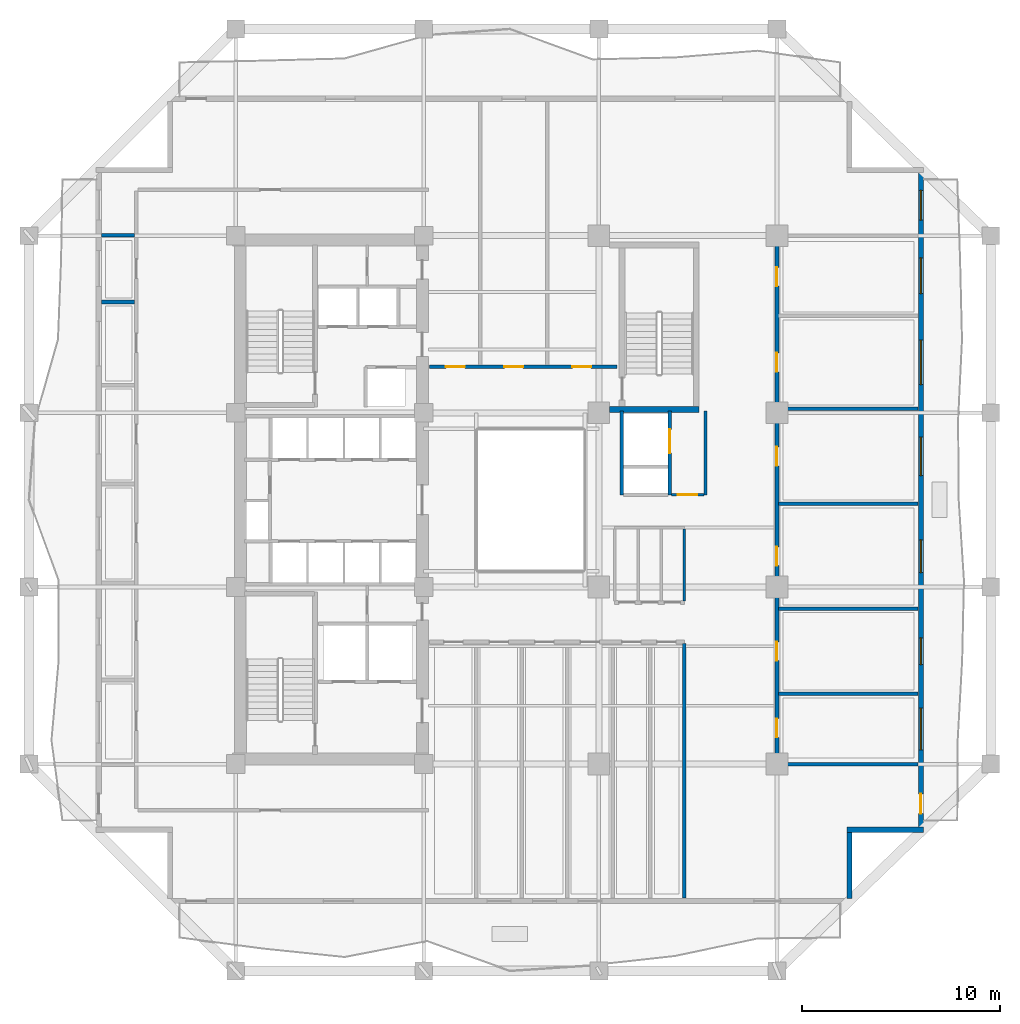
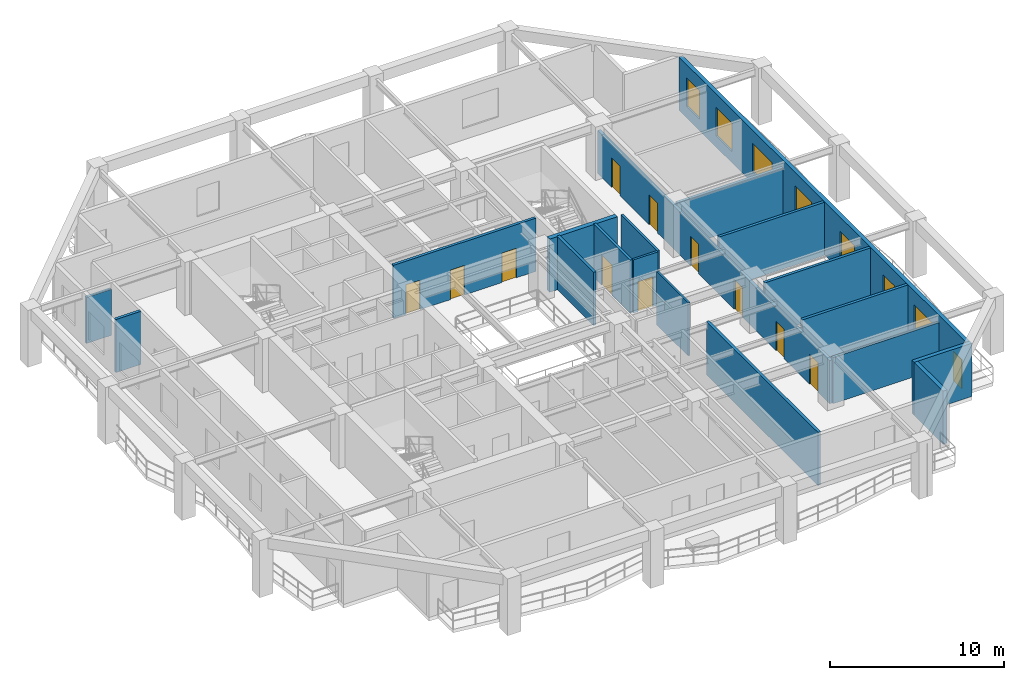
# One storey, part 5 of 11: 19 walls, 12 doors, 7 windows, 19 openings.
"""IFC4 building model written with IfcOpenShell, lengths in metres."""

from ifc_helpers import new_model, si_unit, direction, frame, frame_2d, origin, place, context, subcontext, project, spatial, rectangle, extrude, material, layer, layer_set, type_object, element, fill, save


model = new_model("IFC4")

# Units and contexts
model_context = context("Model", 3, precision=1e-05, world=origin(), true_north=direction((0.0, 1.0)))
body_context = subcontext(model_context, "Body", "Model", "MODEL_VIEW")
ifc_project = project(units=[si_unit("LENGTHUNIT", "METRE"), si_unit("AREAUNIT", "SQUARE_METRE"), si_unit("VOLUMEUNIT", "CUBIC_METRE"), si_unit("PLANEANGLEUNIT", "RADIAN"), si_unit("MASSUNIT", "GRAM", prefix="KILO")], contexts=[model_context])

# Site, building, storey
site_placement = place(None, origin())
site = spatial("IfcSite", under=ifc_project, at=site_placement, CompositionType="ELEMENT")
building_placement = place(site_placement, origin())
building = spatial("IfcBuilding", under=site, at=building_placement, Name="Kundavana Baori Tower", CompositionType="ELEMENT")
storey_placement = place(building_placement, frame((0.0, 0.0, 82.0)))
storey = spatial("IfcBuildingStorey", under=building, at=storey_placement, Name="L19", CompositionType="ELEMENT", Elevation=82.0)

# Walls
ifc_material_1 = material(Name="Kiln-Fired Terracotta Brick-Slip Masonry on Concrete C40/50", Category="masonry")
ifc_layer_1 = layer(ifc_material_1, 0.260009765625, Name="WL-EXT-BRK-260")
ifc_layer_set_1 = layer_set([ifc_layer_1], Name="Kiln-Fired Terracotta Brick-Slip Masonry on Concrete C40/50")
wall_type_1 = type_object("IfcWallType", Name="WL-EXT-BRK-260", PredefinedType="SOLIDWALL", material=ifc_layer_set_1)
wall_1_placement = place(storey_placement, frame((46.469970703125, 8.4599609375, 0.0), z_axis=(0.0, 0.0, 1.0), x_axis=(0.0, 1.0, 0.0)))
element("IfcWall", 1, at=wall_1_placement, inside=storey, type_object=wall_type_1, Name="L19 Exterior Insulated Facade Wall 02", PredefinedType="SOLIDWALL", context=body_context, shape_type="SweptSolid", body=[
    extrude(rectangle(XDim=3.340087890625, YDim=0.260009765625, at=frame_2d((1.669921875, 0.0))), origin(), (0.0, 0.0, 1.0), 3.739990234375),
])
wall_2_placement = place(storey_placement, frame((46.340087890625, 11.929931640625, 0.0), z_axis=(0.0, 0.0, 1.0), x_axis=(1.0, 0.0, 0.0)))
element("IfcWall", 2, at=wall_2_placement, inside=storey, type_object=wall_type_1, Name="L19 Exterior Insulated Facade Wall 03", PredefinedType="SOLIDWALL", context=body_context, shape_type="SweptSolid", body=[
    extrude(rectangle(XDim=3.85986328125, YDim=0.260009765625, at=frame_2d((1.929931640625, 0.0))), origin(), (0.0, 0.0, 1.0), 3.739990234375),
])

# Wall, openings, door, windows
wall_3_placement = place(storey_placement, frame((50.070068359375, 12.06005859375, 0.0), z_axis=(0.0, 0.0, 1.0), x_axis=(0.0, 1.0, 0.0)))
wall_3 = element("IfcWall", 3, at=wall_3_placement, inside=storey, type_object=wall_type_1, Name="L19 Exterior Insulated Facade Wall 04", PredefinedType="SOLIDWALL", context=body_context, shape_type="SweptSolid", body=[
    extrude(rectangle(XDim=33.079833984375, YDim=0.260009765625, at=frame_2d((16.5400390625, 0.0))), origin(), (0.0, 0.0, 1.0), 3.739990234375),
])
opening_1_placement = place(wall_3_placement, frame((0.68994140625, 0.0, 0.0)))
opening_1 = element("IfcOpeningElement", 4, at=opening_1_placement, cuts=wall_3, Name="Opening BD-1", PredefinedType="OPENING", context=body_context, shape_type="SweptSolid", body=[
    extrude(rectangle(XDim=1.0, YDim=2.050048828125, at=frame_2d((0.5, 1.02490234375))), frame((0.0, 0.14013671875, 0.0), z_axis=(0.0, -1.0, 0.0), x_axis=(1.0, 0.0, 0.0)), (0.0, 0.0, 1.0), 0.280029296875),
])
opening_2_placement = place(wall_3_placement, frame((3.9150390625, 0.0, 0.800048828125)))
opening_2 = element("IfcOpeningElement", 5, at=opening_2_placement, cuts=wall_3, Name="Opening W-05", PredefinedType="OPENING", context=body_context, shape_type="SweptSolid", body=[
    extrude(rectangle(XDim=2.10009765625, YDim=1.949951171875, at=frame_2d((1.050048828125, 0.97509765625))), frame((0.0, 0.14013671875, 0.0), z_axis=(0.0, -1.0, 0.0), x_axis=(1.0, 0.0, 0.0)), (0.0, 0.0, 1.0), 0.280029296875),
])
opening_3_placement = place(wall_3_placement, frame((8.215087890625, 0.0, 0.800048828125)))
opening_3 = element("IfcOpeningElement", 6, at=opening_3_placement, cuts=wall_3, Name="Opening W-07", PredefinedType="OPENING", context=body_context, shape_type="SweptSolid", body=[
    extrude(rectangle(XDim=1.35009765625, YDim=1.89990234375, at=frame_2d((0.675048828125, 0.949951171875))), frame((0.0, 0.14013671875, 0.0), z_axis=(0.0, -1.0, 0.0), x_axis=(1.0, 0.0, 0.0)), (0.0, 0.0, 1.0), 0.280029296875),
])
opening_4_placement = place(wall_3_placement, frame((12.864990234375, 0.0, 0.800048828125)))
opening_4 = element("IfcOpeningElement", 7, at=opening_4_placement, cuts=wall_3, Name="Opening W-08", PredefinedType="OPENING", context=body_context, shape_type="SweptSolid", body=[
    extrude(rectangle(XDim=1.64990234375, YDim=1.949951171875, at=frame_2d((0.824951171875, 0.97509765625))), frame((0.0, 0.14013671875, 0.0), z_axis=(0.0, -1.0, 0.0), x_axis=(1.0, 0.0, 0.0)), (0.0, 0.0, 1.0), 0.280029296875),
])
opening_5_placement = place(wall_3_placement, frame((17.764892578125, 0.0, 0.800048828125)))
opening_5 = element("IfcOpeningElement", 8, at=opening_5_placement, cuts=wall_3, Name="Opening W-09", PredefinedType="OPENING", context=body_context, shape_type="SweptSolid", body=[
    extrude(rectangle(XDim=1.949951171875, YDim=2.0, at=frame_2d((0.97509765625, 1.0))), frame((0.0, 0.14013671875, 0.0), z_axis=(0.0, -1.0, 0.0), x_axis=(1.0, 0.0, 0.0)), (0.0, 0.0, 1.0), 0.280029296875),
])
opening_6_placement = place(wall_3_placement, frame((22.364990234375, 0.0, 0.800048828125)))
opening_6 = element("IfcOpeningElement", 9, at=opening_6_placement, cuts=wall_3, Name="Opening W-10", PredefinedType="OPENING", context=body_context, shape_type="SweptSolid", body=[
    extrude(rectangle(XDim=2.25, YDim=2.0, at=frame_2d((1.125, 1.0))), frame((0.0, 0.14013671875, 0.0), z_axis=(0.0, -1.0, 0.0), x_axis=(1.0, 0.0, 0.0)), (0.0, 0.0, 1.0), 0.280029296875),
])
opening_7_placement = place(wall_3_placement, frame((26.965087890625, 0.0, 0.800048828125)))
opening_7 = element("IfcOpeningElement", 10, at=opening_7_placement, cuts=wall_3, Name="Opening W-01", PredefinedType="OPENING", context=body_context, shape_type="SweptSolid", body=[
    extrude(rectangle(XDim=1.800048828125, YDim=2.0, at=frame_2d((0.89990234375, 1.0))), frame((0.0, 0.14013671875, 0.0), z_axis=(0.0, -1.0, 0.0), x_axis=(1.0, 0.0, 0.0)), (0.0, 0.0, 1.0), 0.280029296875),
])
opening_8_placement = place(wall_3_placement, frame((30.679931640625, 0.0, 0.800048828125)))
opening_8 = element("IfcOpeningElement", 11, at=opening_8_placement, cuts=wall_3, Name="Opening W-02", PredefinedType="OPENING", context=body_context, shape_type="SweptSolid", body=[
    extrude(rectangle(XDim=1.5, YDim=2.0, at=frame_2d((0.75, 1.0))), frame((0.0, 0.14013671875, 0.0), z_axis=(0.0, -1.0, 0.0), x_axis=(1.0, 0.0, 0.0)), (0.0, 0.0, 1.0), 0.280029296875),
])
ifc_material_2 = material(Name="Architectural Patinated Bronze Metalwork")
door_type_1 = type_object("IfcDoorType", Name="DR-EXT-LOG-1000", OperationType="NOTDEFINED", PredefinedType="DOOR", material=ifc_material_2)
door_1_placement = place(opening_1_placement, frame((1.0, 0.0, 0.0), z_axis=(0.0, 0.0, 1.0), x_axis=(-1.0, 0.0, 0.0)))
door_1 = element("IfcDoor", 12, at=door_1_placement, inside=storey, type_object=door_type_1, Name="L19 Loggia Balcony Access Door E", OperationType="SINGLE_SWING_RIGHT", OverallHeight=2.050048828125, OverallWidth=1.0, PredefinedType="DOOR", context=body_context, shape_type="SweptSolid", body=[
    extrude(rectangle(XDim=1.0, YDim=2.050048828125, at=frame_2d((0.5, 1.02490234375))), frame((0.0, 0.02490234375, 0.0), z_axis=(0.0, -1.0, 0.0), x_axis=(1.0, 0.0, 0.0)), (0.0, 0.0, 1.0), 0.050048828125),
])
fill(opening_1, door_1)
ifc_material_3 = material(Name="Double-Glazed Solar-Control Low-E Insulated Glass", Category="glass")
window_type_1 = type_object("IfcWindowType", Name="WIN-LOG-1350x1900", PartitioningType="SINGLE_PANEL", PredefinedType="WINDOW", material=ifc_material_3)
window_1_placement = place(opening_3_placement, origin())
window_1 = element("IfcWindow", 13, at=window_1_placement, inside=storey, type_object=window_type_1, Name="L19 Recessed Loggia Window E-3", OverallHeight=1.89990234375, OverallWidth=1.35009765625, PartitioningType="SINGLE_PANEL", PredefinedType="WINDOW", context=body_context, shape_type="SweptSolid", body=[
    extrude(rectangle(XDim=1.35009765625, YDim=1.89990234375, at=frame_2d((0.675048828125, 0.949951171875))), frame((0.0, 0.030029296875, 0.0), z_axis=(0.0, -1.0, 0.0), x_axis=(1.0, 0.0, 0.0)), (0.0, 0.0, 1.0), 0.06005859375),
])
fill(opening_3, window_1)
ifc_material_4 = material(Name="Double-Glazed Solar-Control Low-E Insulated Glass", Category="glass")
window_type_2 = type_object("IfcWindowType", Name="WIN-LOG-1500x2000", PartitioningType="SINGLE_PANEL", PredefinedType="WINDOW", material=ifc_material_4)
window_2_placement = place(opening_8_placement, origin())
window_2 = element("IfcWindow", 14, at=window_2_placement, inside=storey, type_object=window_type_2, Name="L19 Recessed Loggia Window E-8", OverallHeight=2.0, OverallWidth=1.5, PartitioningType="SINGLE_PANEL", PredefinedType="WINDOW", context=body_context, shape_type="SweptSolid", body=[
    extrude(rectangle(XDim=1.5, YDim=2.0, at=frame_2d((0.75, 1.0))), frame((0.0, 0.030029296875, 0.0), z_axis=(0.0, -1.0, 0.0), x_axis=(1.0, 0.0, 0.0)), (0.0, 0.0, 1.0), 0.06005859375),
])
fill(opening_8, window_2)
ifc_material_5 = material(Name="Double-Glazed Solar-Control Low-E Insulated Glass", Category="glass")
window_type_3 = type_object("IfcWindowType", Name="WIN-LOG-1650x1950", PartitioningType="SINGLE_PANEL", PredefinedType="WINDOW", material=ifc_material_5)
window_3_placement = place(opening_4_placement, origin())
window_3 = element("IfcWindow", 15, at=window_3_placement, inside=storey, type_object=window_type_3, Name="L19 Recessed Loggia Window E-4", OverallHeight=1.949951171875, OverallWidth=1.64990234375, PartitioningType="SINGLE_PANEL", PredefinedType="WINDOW", context=body_context, shape_type="SweptSolid", body=[
    extrude(rectangle(XDim=1.64990234375, YDim=1.949951171875, at=frame_2d((0.824951171875, 0.97509765625))), frame((0.0, 0.030029296875, 0.0), z_axis=(0.0, -1.0, 0.0), x_axis=(1.0, 0.0, 0.0)), (0.0, 0.0, 1.0), 0.06005859375),
])
fill(opening_4, window_3)
ifc_material_6 = material(Name="Double-Glazed Solar-Control Low-E Insulated Glass", Category="glass")
window_type_4 = type_object("IfcWindowType", Name="WIN-LOG-1800x2000", PartitioningType="SINGLE_PANEL", PredefinedType="WINDOW", material=ifc_material_6)
window_4_placement = place(opening_7_placement, origin())
window_4 = element("IfcWindow", 16, at=window_4_placement, inside=storey, type_object=window_type_4, Name="L19 Recessed Loggia Window E-7", OverallHeight=2.0, OverallWidth=1.800048828125, PartitioningType="SINGLE_PANEL", PredefinedType="WINDOW", context=body_context, shape_type="SweptSolid", body=[
    extrude(rectangle(XDim=1.800048828125, YDim=2.0, at=frame_2d((0.89990234375, 1.0))), frame((0.0, 0.030029296875, 0.0), z_axis=(0.0, -1.0, 0.0), x_axis=(1.0, 0.0, 0.0)), (0.0, 0.0, 1.0), 0.06005859375),
])
fill(opening_7, window_4)
ifc_material_7 = material(Name="Double-Glazed Solar-Control Low-E Insulated Glass", Category="glass")
window_type_5 = type_object("IfcWindowType", Name="WIN-LOG-1950x2000", PartitioningType="SINGLE_PANEL", PredefinedType="WINDOW", material=ifc_material_7)
window_5_placement = place(opening_5_placement, origin())
window_5 = element("IfcWindow", 17, at=window_5_placement, inside=storey, type_object=window_type_5, Name="L19 Recessed Loggia Window E-5", OverallHeight=2.0, OverallWidth=1.949951171875, PartitioningType="SINGLE_PANEL", PredefinedType="WINDOW", context=body_context, shape_type="SweptSolid", body=[
    extrude(rectangle(XDim=1.949951171875, YDim=2.0, at=frame_2d((0.97509765625, 1.0))), frame((0.0, 0.030029296875, 0.0), z_axis=(0.0, -1.0, 0.0), x_axis=(1.0, 0.0, 0.0)), (0.0, 0.0, 1.0), 0.06005859375),
])
fill(opening_5, window_5)
ifc_material_8 = material(Name="Double-Glazed Solar-Control Low-E Insulated Glass", Category="glass")
window_type_6 = type_object("IfcWindowType", Name="WIN-LOG-2100x1950", PartitioningType="SINGLE_PANEL", PredefinedType="WINDOW", material=ifc_material_8)
window_6_placement = place(opening_2_placement, origin())
window_6 = element("IfcWindow", 18, at=window_6_placement, inside=storey, type_object=window_type_6, Name="L19 Recessed Loggia Window E-2", OverallHeight=1.949951171875, OverallWidth=2.10009765625, PartitioningType="SINGLE_PANEL", PredefinedType="WINDOW", context=body_context, shape_type="SweptSolid", body=[
    extrude(rectangle(XDim=2.10009765625, YDim=1.949951171875, at=frame_2d((1.050048828125, 0.97509765625))), frame((0.0, 0.030029296875, 0.0), z_axis=(0.0, -1.0, 0.0), x_axis=(1.0, 0.0, 0.0)), (0.0, 0.0, 1.0), 0.06005859375),
])
fill(opening_2, window_6)
ifc_material_9 = material(Name="Double-Glazed Solar-Control Low-E Insulated Glass", Category="glass")
window_type_7 = type_object("IfcWindowType", Name="WIN-LOG-2250x2000", PartitioningType="SINGLE_PANEL", PredefinedType="WINDOW", material=ifc_material_9)
window_7_placement = place(opening_6_placement, origin())
window_7 = element("IfcWindow", 19, at=window_7_placement, inside=storey, type_object=window_type_7, Name="L19 Recessed Loggia Window E-6", OverallHeight=2.0, OverallWidth=2.25, PartitioningType="SINGLE_PANEL", PredefinedType="WINDOW", context=body_context, shape_type="SweptSolid", body=[
    extrude(rectangle(XDim=2.25, YDim=2.0, at=frame_2d((1.125, 1.0))), frame((0.0, 0.030029296875, 0.0), z_axis=(0.0, -1.0, 0.0), x_axis=(1.0, 0.0, 0.0)), (0.0, 0.0, 1.0), 0.06005859375),
])
fill(opening_6, window_7)

# Wall
ifc_material_10 = material(Name="Fire-Rated Gypsum Drywall on Galvanised Steel Studs", Category="steel")
ifc_layer_2 = layer(ifc_material_10, 0.14990234375, Name="WL-PART-150")
ifc_layer_set_2 = layer_set([ifc_layer_2], Name="Fire-Rated Gypsum Drywall on Galvanised Steel Studs")
wall_type_2 = type_object("IfcWallType", Name="WL-PART-150", PredefinedType="PARTITIONING", material=ifc_layer_set_2)
wall_4_placement = place(storey_placement, frame((39.199951171875, 28.860107421875, 0.0), z_axis=(0.0, 0.0, 1.0), x_axis=(0.0, 1.0, 0.0)))
element("IfcWall", 20, at=wall_4_placement, inside=storey, type_object=wall_type_2, Name="WL-L19-SVLOB-E", PredefinedType="PARTITIONING", context=body_context, shape_type="SweptSolid", body=[
    extrude(rectangle(XDim=4.219970703125, YDim=0.14990234375, at=frame_2d((2.10986328125, 0.0))), origin(), (0.0, 0.0, 1.0), 3.739990234375),
])

# Wall, opening, door
wall_5_placement = place(storey_placement, frame((37.47998046875, 28.860107421875, 0.0), z_axis=(0.0, 0.0, 1.0), x_axis=(1.0, 0.0, 0.0)))
wall_5 = element("IfcWall", 21, at=wall_5_placement, inside=storey, type_object=wall_type_2, Name="WL-L19-SVLOB-S", PredefinedType="PARTITIONING", context=body_context, shape_type="SweptSolid", body=[
    extrude(rectangle(XDim=1.64013671875, YDim=0.14990234375, at=frame_2d((0.820068359375, 0.0))), origin(), (0.0, 0.0, 1.0), 3.739990234375),
])
opening_9_placement = place(wall_5_placement, frame((0.300048828125, 0.0, 0.0)))
opening_9 = element("IfcOpeningElement", 22, at=opening_9_placement, cuts=wall_5, Name="Opening FD-100", PredefinedType="OPENING", context=body_context, shape_type="SweptSolid", body=[
    extrude(rectangle(XDim=1.0, YDim=2.10009765625, at=frame_2d((0.5, 1.050048828125))), frame((0.0, 0.0849609375, 0.0), z_axis=(0.0, -1.0, 0.0), x_axis=(1.0, 0.0, 0.0)), (0.0, 0.0, 1.0), 0.169921875),
])
ifc_material_11 = material(Name="Engineered Teak Fire-Rated Timber Door Leaf", Category="wood")
door_type_2 = type_object("IfcDoorType", Name="DR-FD60-1000", OperationType="NOTDEFINED", PredefinedType="DOOR", material=ifc_material_11)
door_2_placement = place(opening_9_placement, origin())
door_2 = element("IfcDoor", 23, at=door_2_placement, inside=storey, type_object=door_type_2, Name="DR-L19-SVLOB-OUT", OperationType="SINGLE_SWING_LEFT", OverallHeight=2.10009765625, OverallWidth=1.0, PredefinedType="DOOR", context=body_context, shape_type="SweptSolid", body=[
    extrude(rectangle(XDim=1.0, YDim=2.10009765625, at=frame_2d((0.5, 1.050048828125))), frame((0.0, 0.02490234375, 0.0), z_axis=(0.0, -1.0, 0.0), x_axis=(1.0, 0.0, 0.0)), (0.0, 0.0, 1.0), 0.050048828125),
])
fill(opening_9, door_2)

# Wall
ifc_material_12 = material(Name="Autoclaved Aerated Concrete Blockwork Masonry", Category="masonry")
ifc_layer_3 = layer(ifc_material_12, 0.18505859375, Name="WL-PART-180")
ifc_layer_set_3 = layer_set([ifc_layer_3], Name="Autoclaved Aerated Concrete Blockwork Masonry")
wall_type_3 = type_object("IfcWallType", Name="WL-PART-180", PredefinedType="SOLIDWALL", material=ifc_layer_set_3)
wall_6_placement = place(storey_placement, frame((38.1201171875, 8.47998046875, 0.0), z_axis=(0.0, 0.0, 1.0), x_axis=(0.0, 1.0, 0.0)))
element("IfcWall", 24, at=wall_6_placement, inside=storey, type_object=wall_type_3, Name="WL-L19-OFSEND", PredefinedType="SOLIDWALL", context=body_context, shape_type="SweptSolid", body=[
    extrude(rectangle(XDim=12.860107421875, YDim=0.18505859375, at=frame_2d((6.43017578125, 0.0))), origin(), (0.0, 0.0, 1.0), 3.739990234375),
])

# Wall, openings, doors
wall_7_placement = place(storey_placement, frame((25.25, 35.320068359375, 0.0), z_axis=(0.0, 0.0, 1.0), x_axis=(1.0, 0.0, 0.0)))
wall_7 = element("IfcWall", 25, at=wall_7_placement, inside=storey, type_object=wall_type_3, Name="WL-L19-OFN", PredefinedType="SOLIDWALL", context=body_context, shape_type="SweptSolid", body=[
    extrude(rectangle(XDim=9.469970703125, YDim=0.18505859375, at=frame_2d((4.73486328125, 0.0))), origin(), (0.0, 0.0, 1.0), 3.739990234375),
])
opening_10_placement = place(wall_7_placement, frame((0.824951171875, 0.0, 0.0)))
opening_10 = element("IfcOpeningElement", 26, at=opening_10_placement, cuts=wall_7, Name="Opening ID-095", PredefinedType="OPENING", context=body_context, shape_type="SweptSolid", body=[
    extrude(rectangle(XDim=0.949951171875, YDim=2.080078125, at=frame_2d((0.47509765625, 1.0400390625))), frame((0.0, 0.1025390625, 0.0), z_axis=(0.0, -1.0, 0.0), x_axis=(1.0, 0.0, 0.0)), (0.0, 0.0, 1.0), 0.205078125),
])
opening_11_placement = place(wall_7_placement, frame((3.77490234375, 0.0, 0.0)))
opening_11 = element("IfcOpeningElement", 27, at=opening_11_placement, cuts=wall_7, Name="Opening ID-095", PredefinedType="OPENING", context=body_context, shape_type="SweptSolid", body=[
    extrude(rectangle(XDim=0.949951171875, YDim=2.080078125, at=frame_2d((0.47509765625, 1.0400390625))), frame((0.0, 0.1025390625, 0.0), z_axis=(0.0, -1.0, 0.0), x_axis=(1.0, 0.0, 0.0)), (0.0, 0.0, 1.0), 0.205078125),
])
opening_12_placement = place(wall_7_placement, frame((7.215087890625, 0.0, 0.0)))
opening_12 = element("IfcOpeningElement", 28, at=opening_12_placement, cuts=wall_7, Name="Opening ID-095", PredefinedType="OPENING", context=body_context, shape_type="SweptSolid", body=[
    extrude(rectangle(XDim=0.949951171875, YDim=2.080078125, at=frame_2d((0.47509765625, 1.0400390625))), frame((0.0, 0.1025390625, 0.0), z_axis=(0.0, -1.0, 0.0), x_axis=(1.0, 0.0, 0.0)), (0.0, 0.0, 1.0), 0.205078125),
])
ifc_material_13 = material(Name="Engineered Teak Solid-Core Timber Veneer", Category="wood")
door_type_3 = type_object("IfcDoorType", Name="DR-INT-950", OperationType="NOTDEFINED", PredefinedType="DOOR", material=ifc_material_13)
door_3_placement = place(opening_10_placement, origin())
door_3 = element("IfcDoor", 29, at=door_3_placement, inside=storey, type_object=door_type_3, Name="DR-L19-OFN1", OperationType="SINGLE_SWING_LEFT", OverallHeight=2.080078125, OverallWidth=0.949951171875, PredefinedType="DOOR", context=body_context, shape_type="SweptSolid", body=[
    extrude(rectangle(XDim=0.949951171875, YDim=2.080078125, at=frame_2d((0.47509765625, 1.0400390625))), frame((0.0, 0.02490234375, 0.0), z_axis=(0.0, -1.0, 0.0), x_axis=(1.0, 0.0, 0.0)), (0.0, 0.0, 1.0), 0.050048828125),
])
fill(opening_10, door_3)
door_4_placement = place(opening_11_placement, origin())
door_4 = element("IfcDoor", 30, at=door_4_placement, inside=storey, type_object=door_type_3, Name="DR-L19-OFN2", OperationType="SINGLE_SWING_LEFT", OverallHeight=2.080078125, OverallWidth=0.949951171875, PredefinedType="DOOR", context=body_context, shape_type="SweptSolid", body=[
    extrude(rectangle(XDim=0.949951171875, YDim=2.080078125, at=frame_2d((0.47509765625, 1.0400390625))), frame((0.0, 0.02490234375, 0.0), z_axis=(0.0, -1.0, 0.0), x_axis=(1.0, 0.0, 0.0)), (0.0, 0.0, 1.0), 0.050048828125),
])
fill(opening_11, door_4)
door_5_placement = place(opening_12_placement, origin())
door_5 = element("IfcDoor", 31, at=door_5_placement, inside=storey, type_object=door_type_3, Name="DR-L19-OFN3", OperationType="SINGLE_SWING_LEFT", OverallHeight=2.080078125, OverallWidth=0.949951171875, PredefinedType="DOOR", context=body_context, shape_type="SweptSolid", body=[
    extrude(rectangle(XDim=0.949951171875, YDim=2.080078125, at=frame_2d((0.47509765625, 1.0400390625))), frame((0.0, 0.02490234375, 0.0), z_axis=(0.0, -1.0, 0.0), x_axis=(1.0, 0.0, 0.0)), (0.0, 0.0, 1.0), 0.050048828125),
])
fill(opening_12, door_5)

wall_8_placement = place(storey_placement, frame((42.800048828125, 15.25, 0.0), z_axis=(0.0, 0.0, 1.0), x_axis=(0.0, 1.0, 0.0)))
wall_8 = element("IfcWall", 32, at=wall_8_placement, inside=storey, type_object=wall_type_3, Name="WL-L19-OFE", PredefinedType="SOLIDWALL", context=body_context, shape_type="SweptSolid", body=[
    extrude(rectangle(XDim=26.699951171875, YDim=0.18505859375, at=frame_2d((13.35009765625, 0.0))), origin(), (0.0, 0.0, 1.0), 3.0400390625),
])
opening_13_placement = place(wall_8_placement, frame((1.35009765625, 0.0, 0.0)))
opening_13 = element("IfcOpeningElement", 33, at=opening_13_placement, cuts=wall_8, Name="Opening ID-095", PredefinedType="OPENING", context=body_context, shape_type="SweptSolid", body=[
    extrude(rectangle(XDim=0.949951171875, YDim=2.080078125, at=frame_2d((0.47509765625, 1.0400390625))), frame((0.0, 0.1025390625, 0.0), z_axis=(0.0, -1.0, 0.0), x_axis=(1.0, 0.0, 0.0)), (0.0, 0.0, 1.0), 0.205078125),
])
opening_14_placement = place(wall_8_placement, frame((5.22509765625, 0.0, 0.0)))
opening_14 = element("IfcOpeningElement", 34, at=opening_14_placement, cuts=wall_8, Name="Opening ID-095", PredefinedType="OPENING", context=body_context, shape_type="SweptSolid", body=[
    extrude(rectangle(XDim=0.949951171875, YDim=2.080078125, at=frame_2d((0.47509765625, 1.0400390625))), frame((0.0, 0.1025390625, 0.0), z_axis=(0.0, -1.0, 0.0), x_axis=(1.0, 0.0, 0.0)), (0.0, 0.0, 1.0), 0.205078125),
])
opening_15_placement = place(wall_8_placement, frame((10.02490234375, 0.0, 0.0)))
opening_15 = element("IfcOpeningElement", 35, at=opening_15_placement, cuts=wall_8, Name="Opening ID-095", PredefinedType="OPENING", context=body_context, shape_type="SweptSolid", body=[
    extrude(rectangle(XDim=0.949951171875, YDim=2.080078125, at=frame_2d((0.47509765625, 1.0400390625))), frame((0.0, 0.1025390625, 0.0), z_axis=(0.0, -1.0, 0.0), x_axis=(1.0, 0.0, 0.0)), (0.0, 0.0, 1.0), 0.205078125),
])
opening_16_placement = place(wall_8_placement, frame((15.074951171875, 0.0, 0.0)))
opening_16 = element("IfcOpeningElement", 36, at=opening_16_placement, cuts=wall_8, Name="Opening ID-095", PredefinedType="OPENING", context=body_context, shape_type="SweptSolid", body=[
    extrude(rectangle(XDim=0.949951171875, YDim=2.080078125, at=frame_2d((0.47509765625, 1.0400390625))), frame((0.0, 0.1025390625, 0.0), z_axis=(0.0, -1.0, 0.0), x_axis=(1.0, 0.0, 0.0)), (0.0, 0.0, 1.0), 0.205078125),
])
opening_17_placement = place(wall_8_placement, frame((19.824951171875, 0.0, 0.0)))
opening_17 = element("IfcOpeningElement", 37, at=opening_17_placement, cuts=wall_8, Name="Opening ID-095", PredefinedType="OPENING", context=body_context, shape_type="SweptSolid", body=[
    extrude(rectangle(XDim=0.949951171875, YDim=2.080078125, at=frame_2d((0.47509765625, 1.0400390625))), frame((0.0, 0.1025390625, 0.0), z_axis=(0.0, -1.0, 0.0), x_axis=(1.0, 0.0, 0.0)), (0.0, 0.0, 1.0), 0.205078125),
])
opening_18_placement = place(wall_8_placement, frame((24.14990234375, 0.0, 0.0)))
opening_18 = element("IfcOpeningElement", 38, at=opening_18_placement, cuts=wall_8, Name="Opening ID-095", PredefinedType="OPENING", context=body_context, shape_type="SweptSolid", body=[
    extrude(rectangle(XDim=0.949951171875, YDim=2.080078125, at=frame_2d((0.47509765625, 1.0400390625))), frame((0.0, 0.1025390625, 0.0), z_axis=(0.0, -1.0, 0.0), x_axis=(1.0, 0.0, 0.0)), (0.0, 0.0, 1.0), 0.205078125),
])
door_6_placement = place(opening_13_placement, origin())
door_6 = element("IfcDoor", 39, at=door_6_placement, inside=storey, type_object=door_type_3, Name="DR-L19-OFE1", OperationType="SINGLE_SWING_RIGHT", OverallHeight=2.080078125, OverallWidth=0.949951171875, PredefinedType="DOOR", context=body_context, shape_type="SweptSolid", body=[
    extrude(rectangle(XDim=0.949951171875, YDim=2.080078125, at=frame_2d((0.47509765625, 1.0400390625))), frame((0.0, 0.02490234375, 0.0), z_axis=(0.0, -1.0, 0.0), x_axis=(1.0, 0.0, 0.0)), (0.0, 0.0, 1.0), 0.050048828125),
])
fill(opening_13, door_6)
door_7_placement = place(opening_14_placement, origin())
door_7 = element("IfcDoor", 40, at=door_7_placement, inside=storey, type_object=door_type_3, Name="DR-L19-OFE2", OperationType="SINGLE_SWING_LEFT", OverallHeight=2.080078125, OverallWidth=0.949951171875, PredefinedType="DOOR", context=body_context, shape_type="SweptSolid", body=[
    extrude(rectangle(XDim=0.949951171875, YDim=2.080078125, at=frame_2d((0.47509765625, 1.0400390625))), frame((0.0, 0.02490234375, 0.0), z_axis=(0.0, -1.0, 0.0), x_axis=(1.0, 0.0, 0.0)), (0.0, 0.0, 1.0), 0.050048828125),
])
fill(opening_14, door_7)
door_8_placement = place(opening_15_placement, origin())
door_8 = element("IfcDoor", 41, at=door_8_placement, inside=storey, type_object=door_type_3, Name="DR-L19-OFE3", OperationType="SINGLE_SWING_RIGHT", OverallHeight=2.080078125, OverallWidth=0.949951171875, PredefinedType="DOOR", context=body_context, shape_type="SweptSolid", body=[
    extrude(rectangle(XDim=0.949951171875, YDim=2.080078125, at=frame_2d((0.47509765625, 1.0400390625))), frame((0.0, 0.02490234375, 0.0), z_axis=(0.0, -1.0, 0.0), x_axis=(1.0, 0.0, 0.0)), (0.0, 0.0, 1.0), 0.050048828125),
])
fill(opening_15, door_8)
door_9_placement = place(opening_16_placement, origin())
door_9 = element("IfcDoor", 42, at=door_9_placement, inside=storey, type_object=door_type_3, Name="DR-L19-OFE4", OperationType="SINGLE_SWING_LEFT", OverallHeight=2.080078125, OverallWidth=0.949951171875, PredefinedType="DOOR", context=body_context, shape_type="SweptSolid", body=[
    extrude(rectangle(XDim=0.949951171875, YDim=2.080078125, at=frame_2d((0.47509765625, 1.0400390625))), frame((0.0, 0.02490234375, 0.0), z_axis=(0.0, -1.0, 0.0), x_axis=(1.0, 0.0, 0.0)), (0.0, 0.0, 1.0), 0.050048828125),
])
fill(opening_16, door_9)
door_10_placement = place(opening_17_placement, origin())
door_10 = element("IfcDoor", 43, at=door_10_placement, inside=storey, type_object=door_type_3, Name="DR-L19-OFE5", OperationType="SINGLE_SWING_RIGHT", OverallHeight=2.080078125, OverallWidth=0.949951171875, PredefinedType="DOOR", context=body_context, shape_type="SweptSolid", body=[
    extrude(rectangle(XDim=0.949951171875, YDim=2.080078125, at=frame_2d((0.47509765625, 1.0400390625))), frame((0.0, 0.02490234375, 0.0), z_axis=(0.0, -1.0, 0.0), x_axis=(1.0, 0.0, 0.0)), (0.0, 0.0, 1.0), 0.050048828125),
])
fill(opening_17, door_10)
door_11_placement = place(opening_18_placement, origin())
door_11 = element("IfcDoor", 44, at=door_11_placement, inside=storey, type_object=door_type_3, Name="DR-L19-OFE6", OperationType="SINGLE_SWING_LEFT", OverallHeight=2.080078125, OverallWidth=0.949951171875, PredefinedType="DOOR", context=body_context, shape_type="SweptSolid", body=[
    extrude(rectangle(XDim=0.949951171875, YDim=2.080078125, at=frame_2d((0.47509765625, 1.0400390625))), frame((0.0, 0.02490234375, 0.0), z_axis=(0.0, -1.0, 0.0), x_axis=(1.0, 0.0, 0.0)), (0.0, 0.0, 1.0), 0.050048828125),
])
fill(opening_18, door_11)

# Walls
wall_9_placement = place(storey_placement, frame((42.8798828125, 15.25, 0.0), z_axis=(0.0, 0.0, 1.0), x_axis=(1.0, 0.0, 0.0)))
element("IfcWall", 45, at=wall_9_placement, inside=storey, type_object=wall_type_3, Name="WL-L19-OFES", PredefinedType="SOLIDWALL", context=body_context, shape_type="SweptSolid", body=[
    extrude(rectangle(XDim=7.0400390625, YDim=0.18505859375, at=frame_2d((3.52001953125, 0.0))), origin(), (0.0, 0.0, 1.0), 3.239990234375),
])
wall_10_placement = place(storey_placement, frame((8.679931640625, 41.97998046875, 0.0), z_axis=(0.0, 0.0, 1.0), x_axis=(1.0, 0.0, 0.0)))
element("IfcWall", 46, at=wall_10_placement, inside=storey, type_object=wall_type_3, Name="WL-L19-OWN", PredefinedType="SOLIDWALL", context=body_context, shape_type="SweptSolid", body=[
    extrude(rectangle(XDim=1.66015625, YDim=0.18505859375, at=frame_2d((0.830078125, 0.0))), origin(), (0.0, 0.0, 1.0), 3.239990234375),
])
wall_11_placement = place(storey_placement, frame((8.679931640625, 38.60009765625, 0.0), z_axis=(0.0, 0.0, 1.0), x_axis=(1.0, 0.0, 0.0)))
element("IfcWall", 47, at=wall_11_placement, inside=storey, type_object=wall_type_3, Name="WL-L19-WD5", PredefinedType="SOLIDWALL", context=body_context, shape_type="SweptSolid", body=[
    extrude(rectangle(XDim=1.66015625, YDim=0.18505859375, at=frame_2d((0.830078125, 0.0))), origin(), (0.0, 0.0, 1.0), 3.739990234375),
])
for number, where, z_axis, x_axis, name in (
    (48, (42.8798828125, 18.800048828125, 0.0), (0.0, 0.0, 1.0), (1.0, 0.0, 0.0), "WL-L19-ED1"),
    (49, (42.8798828125, 23.10009765625, 0.0), (0.0, 0.0, 1.0), (1.0, 0.0, 0.0), "WL-L19-ED2"),
    (50, (42.8798828125, 28.39990234375, 0.0), (0.0, 0.0, 1.0), (1.0, 0.0, 0.0), "WL-L19-ED3"),
):
    element("IfcWall", number, at=place(storey_placement, frame(where, z_axis=z_axis, x_axis=x_axis)), inside=storey, type_object=wall_type_3, Name=name, PredefinedType="SOLIDWALL", context=body_context, shape_type="SweptSolid", body=[
        extrude(rectangle(XDim=7.0400390625, YDim=0.18505859375, at=frame_2d((3.52001953125, 0.0))), origin(), (0.0, 0.0, 1.0), 3.739990234375),
    ])
wall_12_placement = place(storey_placement, frame((42.8798828125, 33.199951171875, 0.0), z_axis=(0.0, 0.0, 1.0), x_axis=(1.0, 0.0, 0.0)))
element("IfcWall", 51, at=wall_12_placement, inside=storey, type_object=wall_type_3, Name="WL-L19-ED4", PredefinedType="SOLIDWALL", context=body_context, shape_type="SweptSolid", body=[
    extrude(rectangle(XDim=7.0400390625, YDim=0.18505859375, at=frame_2d((3.52001953125, 0.0))), origin(), (0.0, 0.0, 1.0), 3.239990234375),
])
ifc_material_14 = material(Name="Autoclaved Aerated Concrete Blockwork Masonry", Category="masonry")
ifc_layer_4 = layer(ifc_material_14, 0.179931640625, Name="WL-SHAFT-180")
ifc_layer_set_4 = layer_set([ifc_layer_4], Name="Autoclaved Aerated Concrete Blockwork Masonry")
wall_type_4 = type_object("IfcWallType", Name="WL-SHAFT-180", PredefinedType="SOLIDWALL", material=ifc_layer_set_4)
wall_13_placement = place(storey_placement, frame((34.9599609375, 28.860107421875, 0.0), z_axis=(0.0, 0.0, 1.0), x_axis=(0.0, 1.0, 0.0)))
element("IfcWall", 52, at=wall_13_placement, inside=storey, type_object=wall_type_4, Name="WL-L19-SVL-W", PredefinedType="SOLIDWALL", context=body_context, shape_type="SweptSolid", body=[
    extrude(rectangle(XDim=4.219970703125, YDim=0.179931640625, at=frame_2d((2.10986328125, 0.0))), origin(), (0.0, 0.0, 1.0), 3.739990234375),
])

# Wall, opening, door
wall_14_placement = place(storey_placement, frame((37.389892578125, 28.860107421875, 0.0), z_axis=(0.0, 0.0, 1.0), x_axis=(0.0, 1.0, 0.0)))
wall_14 = element("IfcWall", 53, at=wall_14_placement, inside=storey, type_object=wall_type_4, Name="WL-L19-SVL-E", PredefinedType="SOLIDWALL", context=body_context, shape_type="SweptSolid", body=[
    extrude(rectangle(XDim=4.219970703125, YDim=0.179931640625, at=frame_2d((2.10986328125, 0.0))), origin(), (0.0, 0.0, 1.0), 3.739990234375),
])
opening_19_placement = place(wall_14_placement, frame((2.10009765625, 0.0, 0.0)))
opening_19 = element("IfcOpeningElement", 54, at=opening_19_placement, cuts=wall_14, Name="Opening LD-120", PredefinedType="OPENING", context=body_context, shape_type="SweptSolid", body=[
    extrude(rectangle(XDim=1.199951171875, YDim=2.1201171875, at=frame_2d((0.60009765625, 1.06005859375))), frame((0.0, 0.10009765625, 0.0), z_axis=(0.0, -1.0, 0.0), x_axis=(1.0, 0.0, 0.0)), (0.0, 0.0, 1.0), 0.199951171875),
])
ifc_material_15 = material(Name="Galvanised Steel Fire-Rated Door Leaf", Category="steel")
door_type_4 = type_object("IfcDoorType", Name="DR-SLIDE-LD1200", OperationType="NOTDEFINED", PredefinedType="DOOR", material=ifc_material_15)
door_12_placement = place(opening_19_placement, frame((1.199951171875, 0.0, 0.0), z_axis=(0.0, 0.0, 1.0), x_axis=(-1.0, 0.0, 0.0)))
door_12 = element("IfcDoor", 55, at=door_12_placement, inside=storey, type_object=door_type_4, Name="DR-L19-LD-SVL1", OperationType="DOUBLE_DOOR_SLIDING", OverallHeight=2.1201171875, OverallWidth=1.199951171875, PredefinedType="DOOR", context=body_context, shape_type="SweptSolid", body=[
    extrude(rectangle(XDim=1.199951171875, YDim=2.1201171875, at=frame_2d((0.60009765625, 1.06005859375))), frame((0.0, 0.02490234375, 0.0), z_axis=(0.0, -1.0, 0.0), x_axis=(1.0, 0.0, 0.0)), (0.0, 0.0, 1.0), 0.050048828125),
])
fill(opening_19, door_12)

# Walls
ifc_material_16 = material(Name="Concrete C50/60", Category="concrete")
ifc_layer_5 = layer(ifc_material_16, 0.300048828125, Name="WL-ST3-300")
ifc_layer_set_5 = layer_set([ifc_layer_5], Name="Concrete C50/60")
wall_type_5 = type_object("IfcWallType", Name="WL-ST3-300", PredefinedType="SHEAR", material=ifc_layer_set_5)
wall_15_placement = place(storey_placement, frame((34.35009765625, 33.159912109375, 0.0), z_axis=(0.0, 0.0, 1.0), x_axis=(1.0, 0.0, 0.0)))
element("IfcWall", 56, at=wall_15_placement, inside=storey, type_object=wall_type_5, Name="L19 Stair ST3 South Shear Wall", PredefinedType="SHEAR", context=body_context, shape_type="SweptSolid", body=[
    extrude(rectangle(XDim=4.52001953125, YDim=0.300048828125, at=frame_2d((2.260009765625, 0.0))), origin(), (0.0, 0.0, 1.0), 3.739990234375),
])
ifc_material_17 = material(Name="Autoclaved Aerated Concrete Blockwork Masonry", Category="masonry")
ifc_layer_6 = layer(ifc_material_17, 0.125, Name="WL-WET-120")
ifc_layer_set_6 = layer_set([ifc_layer_6], Name="Autoclaved Aerated Concrete Blockwork Masonry")
wall_type_6 = type_object("IfcWallType", Name="WL-WET-120", PredefinedType="PLUMBINGWALL", material=ifc_layer_set_6)
wall_16_placement = place(storey_placement, frame((38.1201171875, 23.5, 0.0), z_axis=(0.0, 0.0, 1.0), x_axis=(0.0, 1.0, 0.0)))
element("IfcWall", 57, at=wall_16_placement, inside=storey, type_object=wall_type_6, Name="WL-L19-WCE", PredefinedType="PLUMBINGWALL", context=body_context, shape_type="SweptSolid", body=[
    extrude(rectangle(XDim=3.6201171875, YDim=0.125, at=frame_2d((1.81005859375, 0.0))), origin(), (0.0, 0.0, 1.0), 3.739990234375),
])

save(model, "model.ifc")
